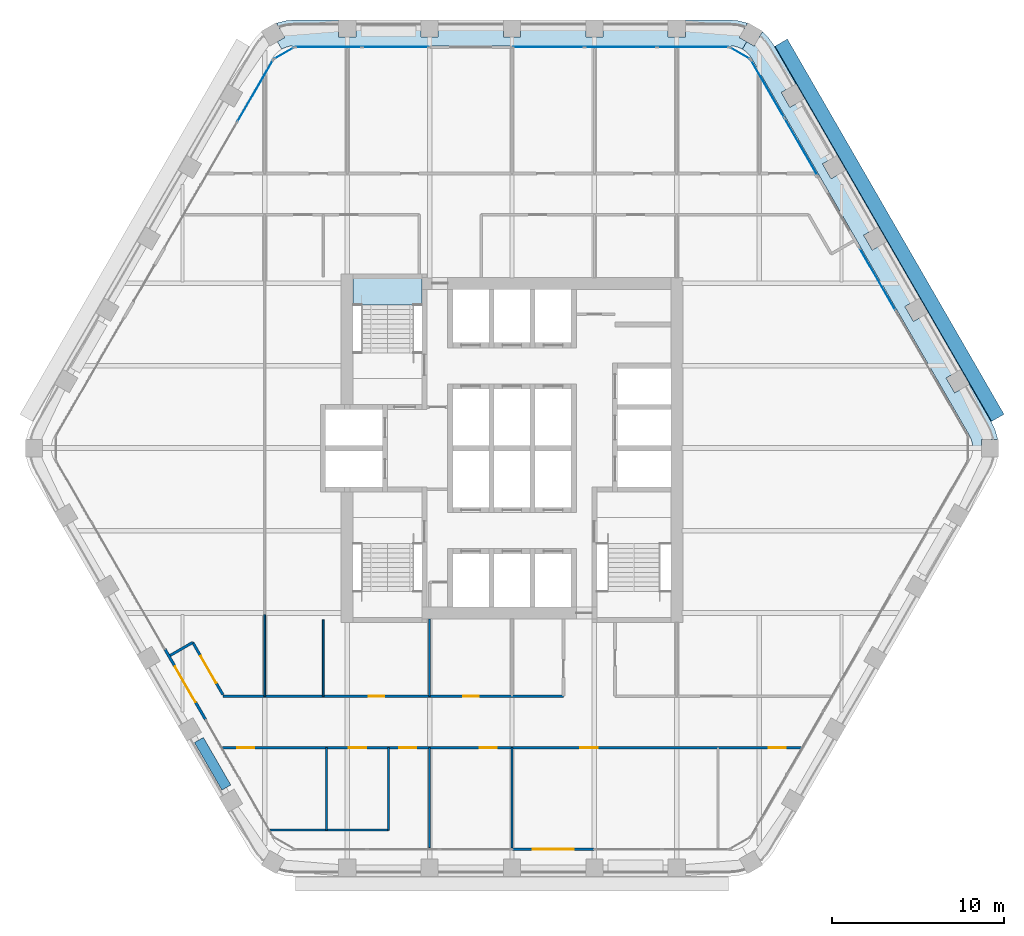
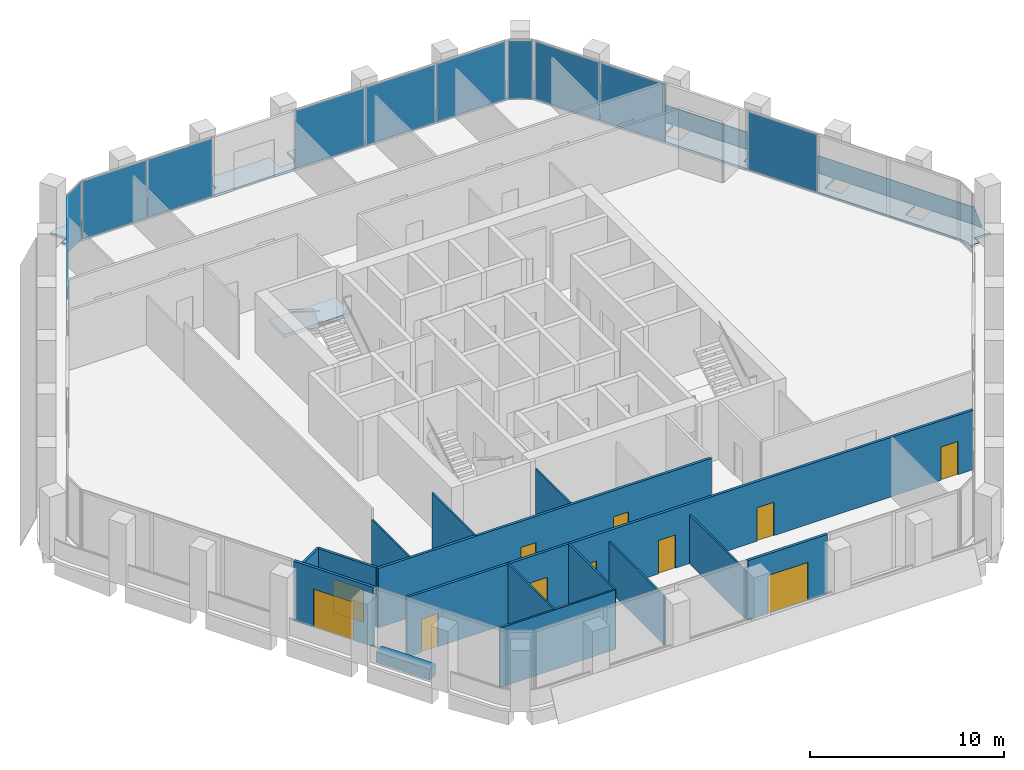
# One storey, part 8 of 15: 15 walls, 12 plates, 11 doors, 3 slabs, 11 openings, 8 elements without a shape of their own.
"""IFC4 building model written with IfcOpenShell, lengths in metres."""

from ifc_helpers import new_model, si_unit, direction, frame, frame_2d, origin, origin_2d, place, context, subcontext, project, spatial, polyline, rectangle, outline, extrude, material, layer, layer_set, type_object, element, fill, aggregate, save


model = new_model("IFC4")

# Units and contexts
model_context = context("Model", 3, precision=1e-05, world=origin(), true_north=direction((0.0, 1.0)))
body_context = subcontext(model_context, "Body", "Model", "MODEL_VIEW")
ifc_project = project(units=[si_unit("LENGTHUNIT", "METRE"), si_unit("AREAUNIT", "SQUARE_METRE"), si_unit("VOLUMEUNIT", "CUBIC_METRE"), si_unit("PLANEANGLEUNIT", "RADIAN"), si_unit("MASSUNIT", "GRAM", prefix="KILO")], contexts=[model_context])

# Site, building, storey
site_placement = place(None, origin())
site = spatial("IfcSite", under=ifc_project, at=site_placement, CompositionType="ELEMENT")
building_placement = place(site_placement, origin())
building = spatial("IfcBuilding", under=site, at=building_placement, Name="Kolab Exchange Tower", CompositionType="ELEMENT")
storey_placement = place(building_placement, frame((0.0, 0.0, 201.199951171875)))
storey = spatial("IfcBuildingStorey", under=building, at=storey_placement, Name="L43", CompositionType="ELEMENT", Elevation=201.199951171875)

# Slabs
ifc_material_1 = material(Name="Concrete C35/45", Category="concrete")
ifc_layer_1 = layer(ifc_material_1, 0.14990234375)
ifc_layer_set_1 = layer_set([ifc_layer_1], Name="Concrete C35/45")
slab_type_1 = type_object("IfcSlabType", Name="LOGGIA SLAB 150", PredefinedType="FLOOR", material=ifc_layer_set_1)
slab_1_placement = place(storey_placement, frame((0.0, 0.0, -0.14990234375)))
element("IfcSlab", 1, at=slab_1_placement, inside=storey, type_object=slab_type_1, Name="slab/L43/loggia/0-0", PredefinedType="FLOOR", context=body_context, shape_type="SweptSolid", body=[
    extrude(outline(polyline([(13.41796875, 23.240478515625), (13.66796875, 23.673583984375), (13.23486328125, 23.923583984375), (13.713134765625, 24.751708984375), (13.694091796875, 24.760498046875), (13.18896484375, 24.89599609375), (12.66796875, 24.941650390625), (10.10009765625, 24.941650390625), (10.10009765625, 23.941650390625), (9.10009765625, 23.941650390625), (9.10009765625, 24.941650390625), (5.300048828125, 24.941650390625), (5.300048828125, 23.941650390625), (4.300048828125, 23.941650390625), (4.300048828125, 24.941650390625), (0.5, 24.941650390625), (0.5, 23.941650390625), (-0.5, 23.941650390625), (-0.5, 24.941650390625), (-4.300048828125, 24.941650390625), (-4.300048828125, 23.941650390625), (-5.300048828125, 23.941650390625), (-5.300048828125, 24.941650390625), (-9.10009765625, 24.941650390625), (-9.10009765625, 23.941650390625), (-10.10009765625, 23.941650390625), (-10.10009765625, 24.941650390625), (-12.66796875, 24.941650390625), (-13.18896484375, 24.89599609375), (-13.694091796875, 24.760498046875), (-13.713134765625, 24.751708984375), (-13.23486328125, 23.923583984375), (-13.66796875, 23.673583984375), (-13.41796875, 23.240478515625), (-13.180908203125, 23.35107421875), (-12.928466796875, 23.418701171875), (-12.66796875, 23.441650390625), (12.66796875, 23.441650390625), (12.928466796875, 23.418701171875), (13.180908203125, 23.35107421875), (13.41796875, 23.240478515625)])), origin(), (0.0, 0.0, 1.0), 0.14990234375),
])
slab_2_placement = place(storey_placement, frame((0.0, 0.0, -0.14990234375)))
element("IfcSlab", 2, at=slab_2_placement, inside=storey, type_object=slab_type_1, Name="slab/L43/loggia/1-0", PredefinedType="FLOOR", context=body_context, shape_type="SweptSolid", body=[
    extrude(outline(polyline([(26.8359375, 0.0), (27.3359375, 0.0), (27.3359375, 0.5), (28.292236328125, 0.5), (28.290283203125, 0.52099609375), (28.155029296875, 1.026123046875), (27.93408203125, 1.5), (26.64990234375, 3.723876953125), (25.783935546875, 3.223876953125), (25.283935546875, 4.08984375), (26.14990234375, 4.58984375), (24.25, 7.880859375), (23.384033203125, 7.380859375), (22.884033203125, 8.246826171875), (23.75, 8.746826171875), (21.85009765625, 12.037841796875), (20.98388671875, 11.537841796875), (20.48388671875, 12.40380859375), (21.35009765625, 12.90380859375), (19.449951171875, 16.194580078125), (18.583984375, 15.694580078125), (18.083984375, 16.560791015625), (18.949951171875, 17.060791015625), (17.050048828125, 20.3515625), (16.18408203125, 19.8515625), (15.68408203125, 20.717529296875), (16.550048828125, 21.217529296875), (15.26611328125, 23.441650390625), (14.966064453125, 23.869873046875), (14.59619140625, 24.23974609375), (14.5791015625, 24.251708984375), (14.10107421875, 23.423583984375), (13.66796875, 23.673583984375), (13.41796875, 23.240478515625), (13.632080078125, 23.090576171875), (13.81689453125, 22.90576171875), (13.967041015625, 22.691650390625), (26.635009765625, 0.75), (26.745361328125, 0.512939453125), (26.81298828125, 0.260498046875), (26.8359375, 0.0)])), origin(), (0.0, 0.0, 1.0), 0.14990234375),
])

# Plate
ifc_material_2 = material(Name="Laminated glass, clear", Category="glass")
ifc_layer_2 = layer(ifc_material_2, 0.0400390625)
ifc_layer_set_2 = layer_set([ifc_layer_2], Name="Laminated glass, clear")
plate_type_1 = type_object("IfcPlateType", Name="OUTER SKIN LAMINATED GLASS SHEET 40", PredefinedType="SHEET", material=ifc_layer_set_2)
plate_1_placement = place(storey_placement, frame((16.040283203125, 23.830810546875, -0.68310546875), z_axis=(0.784898656704, 0.453161865271, 0.422585402693), x_axis=(0.499999968995, -0.866025421685, 9.26315e-07)))
element("IfcPlate", 3, at=plate_1_placement, inside=storey, type_object=plate_type_1, Name="Outer skin", PredefinedType="SHEET", context=body_context, shape_type="SweptSolid", body=[
    extrude(outline(polyline([(0.0, 0.0), (25.23592824607872, 0.0), (25.235843279343595, -1.9612922777250177), (0.00012646525258337368, -1.961343862676479), (0.0, 0.0)])), origin(), (0.0, 0.0, -1.0), 0.0400390625),
])

# Stair, slab
ifc_material_3 = material(Name="Concrete C50/60", Category="concrete")
stair_type = type_object("IfcStairType", Name="STAIR ST1 RISER 177.3", PredefinedType="HALF_TURN_STAIR", material=ifc_material_3)
stair_placement = place(storey_placement, origin())
stair = element("IfcStair", 4, at=stair_placement, inside=storey, type_object=stair_type, Name="Stair 1", PredefinedType="HALF_TURN_STAIR")
ifc_layer_3 = layer(ifc_material_3, 0.199951171875)
ifc_layer_set_3 = layer_set([ifc_layer_3], Name="Concrete C50/60")
slab_type_2 = type_object("IfcSlabType", Name="STAIR LANDING 200", PredefinedType="LANDING", material=ifc_layer_set_3)
slab_3_placement = place(storey_placement, frame((0.0, 0.0, 1.75)))
slab_3 = element("IfcSlab", 5, at=slab_3_placement, type_object=slab_type_2, Name="ST1 landing 2", PredefinedType="LANDING", context=body_context, shape_type="SweptSolid", body=[
    extrude(outline(polyline([(-9.25, 8.35009765625), (-5.25, 8.35009765625), (-5.25, 9.909912109375), (-9.25, 9.909912109375), (-9.25, 8.35009765625)])), origin(), (0.0, 0.0, 1.0), 0.199951171875),
])
aggregate(stair, [slab_3])

# Curtain wall, plates
ifc_material_4 = material(Name="Aluminium EN AW-6063 T6", Category="aluminium")
curtain_wall_type = type_object("IfcCurtainWallType", Name="UNITISED UPPER MID ZONE CURTAIN WALL", PredefinedType="NOTDEFINED", material=ifc_material_4)
curtain_wall_1_placement = place(storey_placement, origin())
curtain_wall_1 = element("IfcCurtainWall", 6, at=curtain_wall_1_placement, inside=storey, type_object=curtain_wall_type, Name="cw/L43/F1-1", PredefinedType="NOTDEFINED")
ifc_material_5 = material(Name="Clear insulated glazing unit", Category="glass")
ifc_layer_4 = layer(ifc_material_5, 0.028076171875)
ifc_layer_set_4 = layer_set([ifc_layer_4], Name="Clear insulated glazing unit")
plate_type_2 = type_object("IfcPlateType", Name="UNITISED UPPER MID ZONE GLASS PANEL 28", PredefinedType="CURTAIN_PANEL", material=ifc_layer_set_4)
plate_2_placement = place(storey_placement, frame((-10.68603515625, 23.361572265625, 0.06005859375), z_axis=(0.0, 0.0, 1.0), x_axis=(1.0, 0.0, 0.0)))
plate_2 = element("IfcPlate", 7, at=plate_2_placement, type_object=plate_type_2, Name="CW3 panel 1.1", PredefinedType="CURTAIN_PANEL", context=body_context, shape_type="SweptSolid", body=[
    extrude(rectangle(XDim=3.843994140625, YDim=0.028076171875, at=origin_2d()), origin(), (0.0, 0.0, 1.0), 3.6298828125),
])
plate_3_placement = place(storey_placement, frame((-6.781982421875, 23.361572265625, 0.06005859375), z_axis=(0.0, 0.0, 1.0), x_axis=(1.0, 0.0, 0.0)))
plate_3 = element("IfcPlate", 8, at=plate_3_placement, type_object=plate_type_2, Name="CW3 panel 2.1", PredefinedType="CURTAIN_PANEL", context=body_context, shape_type="SweptSolid", body=[
    extrude(rectangle(XDim=3.843994140625, YDim=0.028076171875, at=origin_2d()), origin(), (0.0, 0.0, 1.0), 3.6298828125),
])
aggregate(curtain_wall_1, [plate_2, plate_3])

curtain_wall_2_placement = place(storey_placement, origin())
curtain_wall_2 = element("IfcCurtainWall", 9, at=curtain_wall_2_placement, inside=storey, type_object=curtain_wall_type, Name="cw/L43/F1-2", PredefinedType="NOTDEFINED")
plate_4_placement = place(storey_placement, frame((2.126220703125, 23.361572265625, 0.06005859375), z_axis=(0.0, 0.0, 1.0), x_axis=(1.0, 0.0, 0.0)))
plate_4 = element("IfcPlate", 10, at=plate_4_placement, type_object=plate_type_2, Name="CW3 panel 1.1", PredefinedType="CURTAIN_PANEL", context=body_context, shape_type="SweptSolid", body=[
    extrude(rectangle(XDim=4.132568359375, YDim=0.028076171875, at=origin_2d()), origin(), (0.0, 0.0, 1.0), 3.6298828125),
])
plate_5_placement = place(storey_placement, frame((6.333984375, 23.361572265625, 0.06005859375), z_axis=(0.0, 0.0, 1.0), x_axis=(1.0, 0.0, 0.0)))
plate_5 = element("IfcPlate", 11, at=plate_5_placement, type_object=plate_type_2, Name="CW3 panel 2.1", PredefinedType="CURTAIN_PANEL", context=body_context, shape_type="SweptSolid", body=[
    extrude(rectangle(XDim=4.16259765625, YDim=0.028076171875, at=origin_2d()), origin(), (0.0, 0.0, 1.0), 3.6298828125),
])
plate_6_placement = place(storey_placement, frame((10.54150390625, 23.361572265625, 0.06005859375), z_axis=(0.0, 0.0, 1.0), x_axis=(1.0, 0.0, 0.0)))
plate_6 = element("IfcPlate", 12, at=plate_6_placement, type_object=plate_type_2, Name="CW3 panel 3.1", PredefinedType="CURTAIN_PANEL", context=body_context, shape_type="SweptSolid", body=[
    extrude(rectangle(XDim=4.132568359375, YDim=0.028076171875, at=origin_2d()), origin(), (0.0, 0.0, 1.0), 3.6298828125),
])
aggregate(curtain_wall_2, [plate_4, plate_5, plate_6])

curtain_wall_3_placement = place(storey_placement, origin())
curtain_wall_3 = element("IfcCurtainWall", 13, at=curtain_wall_3_placement, inside=storey, type_object=curtain_wall_type, Name="cw/L43/F2-1", PredefinedType="NOTDEFINED")
plate_7_placement = place(storey_placement, frame((14.888671875, 20.93505859375, 0.06005859375), z_axis=(0.0, 0.0, 1.0), x_axis=(0.500000031681, -0.866025385493, 0.0)))
plate_7 = element("IfcPlate", 14, at=plate_7_placement, type_object=plate_type_2, Name="CW3 panel 1.1", PredefinedType="CURTAIN_PANEL", context=body_context, shape_type="SweptSolid", body=[
    extrude(rectangle(XDim=3.843994140625, YDim=0.028076171875, at=origin_2d()), origin(), (0.0, 0.0, 1.0), 3.6298828125),
])
plate_8_placement = place(storey_placement, frame((16.840576171875, 17.55419921875, 0.06005859375), z_axis=(0.0, 0.0, 1.0), x_axis=(0.500000031681, -0.866025385493, 0.0)))
plate_8 = element("IfcPlate", 15, at=plate_8_placement, type_object=plate_type_2, Name="CW3 panel 2.1", PredefinedType="CURTAIN_PANEL", context=body_context, shape_type="SweptSolid", body=[
    extrude(rectangle(XDim=3.843994140625, YDim=0.028076171875, at=origin_2d()), origin(), (0.0, 0.0, 1.0), 3.6298828125),
])
aggregate(curtain_wall_3, [plate_7, plate_8])

# Curtain wall, plate
curtain_wall_4_placement = place(storey_placement, origin())
curtain_wall_4 = element("IfcCurtainWall", 16, at=curtain_wall_4_placement, inside=storey, type_object=curtain_wall_type, Name="cw/L43/F2-2", PredefinedType="NOTDEFINED")
plate_9_placement = place(storey_placement, frame((21.294921875, 9.83935546875, 0.06005859375), z_axis=(0.0, 0.0, 1.0), x_axis=(0.499999958358, -0.866025427826, 0.0)))
plate_9 = element("IfcPlate", 17, at=plate_9_placement, type_object=plate_type_2, Name="CW3 panel 1.1", PredefinedType="CURTAIN_PANEL", context=body_context, shape_type="SweptSolid", body=[
    extrude(rectangle(XDim=4.132568359375, YDim=0.028076171875, at=origin_2d()), origin(), (0.0, 0.0, 1.0), 3.6298828125),
])
aggregate(curtain_wall_4, [plate_9])

curtain_wall_5_placement = place(storey_placement, origin())
curtain_wall_5 = element("IfcCurtainWall", 18, at=curtain_wall_5_placement, inside=storey, type_object=curtain_wall_type, Name="cw/L43/F6-2", PredefinedType="NOTDEFINED")
plate_10_placement = place(storey_placement, frame((-14.9609375, 20.81005859375, 0.06005859375), z_axis=(0.0, 0.0, 1.0), x_axis=(0.500000017564, 0.866025393644, 0.0)))
plate_10 = element("IfcPlate", 19, at=plate_10_placement, type_object=plate_type_2, Name="CW3 panel 3.1", PredefinedType="CURTAIN_PANEL", context=body_context, shape_type="SweptSolid", body=[
    extrude(rectangle(XDim=4.132568359375, YDim=0.028076171875, at=origin_2d()), origin(), (0.0, 0.0, 1.0), 3.6298828125),
])
aggregate(curtain_wall_5, [plate_10])

curtain_wall_6_placement = place(storey_placement, origin())
curtain_wall_6 = element("IfcCurtainWall", 20, at=curtain_wall_6_placement, inside=storey, type_object=curtain_wall_type, Name="cw/L43/F1F2-corner", PredefinedType="NOTDEFINED")
plate_11_placement = place(storey_placement, frame((13.28271484375, 23.006591796875, 0.06005859375), z_axis=(0.0, 0.0, 1.0), x_axis=(0.866025390869, -0.50000002237, 0.0)))
plate_11 = element("IfcPlate", 21, at=plate_11_placement, type_object=plate_type_2, Name="CW3 panel 1.1", PredefinedType="CURTAIN_PANEL", context=body_context, shape_type="SweptSolid", body=[
    extrude(rectangle(XDim=1.300048828125, YDim=0.028076171875, at=origin_2d()), origin(), (0.0, 0.0, 1.0), 3.6298828125),
])
aggregate(curtain_wall_6, [plate_11])

curtain_wall_7_placement = place(storey_placement, origin())
curtain_wall_7 = element("IfcCurtainWall", 22, at=curtain_wall_7_placement, inside=storey, type_object=curtain_wall_type, Name="cw/L43/F6F1-corner", PredefinedType="NOTDEFINED")
plate_12_placement = place(storey_placement, frame((-13.28271484375, 23.006591796875, 0.06005859375), z_axis=(0.0, 0.0, 1.0), x_axis=(0.866025390869, 0.50000002237, 0.0)))
plate_12 = element("IfcPlate", 23, at=plate_12_placement, type_object=plate_type_2, Name="CW3 panel 1.1", PredefinedType="CURTAIN_PANEL", context=body_context, shape_type="SweptSolid", body=[
    extrude(rectangle(XDim=1.300048828125, YDim=0.028076171875, at=origin_2d()), origin(), (0.0, 0.0, 1.0), 3.6298828125),
])
aggregate(curtain_wall_7, [plate_12])

# Wall, opening, door
ifc_layer_5 = layer(ifc_material_4, 0.159912109375)
ifc_layer_set_5 = layer_set([ifc_layer_5], Name="Aluminium EN AW-6063 T6")
wall_type_1 = type_object("IfcWallType", Name="DOOR SURROUND WALL 160 ALUMINIUM FRAMED", PredefinedType="PARTITIONING", material=ifc_layer_set_5)
wall_1_placement = place(storey_placement, frame((4.77001953125, -23.361572265625, 0.0), z_axis=(0.0, 0.0, 1.0), x_axis=(-1.0, 0.0, 0.0)))
wall_1 = element("IfcWall", 24, at=wall_1_placement, inside=storey, type_object=wall_type_1, Name="Door surround wall", PredefinedType="PARTITIONING", context=body_context, shape_type="SweptSolid", body=[
    extrude(rectangle(XDim=4.739990234375, YDim=0.159912109375, at=frame_2d((2.3701171875, 0.0))), origin(), (0.0, 0.0, 1.0), 3.75),
])
opening_1_placement = place(wall_1_placement, frame((1.169921875, 0.0, 0.0)))
opening_1 = element("IfcOpeningElement", 25, at=opening_1_placement, cuts=wall_1, Name="Opening GD1-067", PredefinedType="OPENING", context=body_context, shape_type="SweptSolid", body=[
    extrude(rectangle(XDim=2.39990234375, YDim=2.39990234375, at=frame_2d((1.199951171875, 1.199951171875))), frame((0.0, 0.08984375, 0.0), z_axis=(0.0, -1.0, 0.0), x_axis=(1.0, 0.0, 0.0)), (0.0, 0.0, 1.0), 0.179931640625),
])
door_type_1 = type_object("IfcDoorType", Name="LOGGIA SLIDING GLASS DOOR 2400 X 2400", OperationType="DOUBLE_DOOR_SINGLE_SWING", PredefinedType="DOOR", material=ifc_material_4)
door_1_placement = place(opening_1_placement, origin())
door_1 = element("IfcDoor", 26, at=door_1_placement, inside=storey, type_object=door_type_1, Name="Loggia door", OperationType="DOUBLE_DOOR_SLIDING", OverallHeight=2.39990234375, OverallWidth=2.39990234375, PredefinedType="DOOR", context=body_context, shape_type="SweptSolid", body=[
    extrude(rectangle(XDim=2.39990234375, YDim=2.39990234375, at=frame_2d((1.199951171875, 1.199951171875))), frame((0.0, 0.02490234375, 0.0), z_axis=(0.0, -1.0, 0.0), x_axis=(1.0, 0.0, 0.0)), (0.0, 0.0, 1.0), 0.050048828125),
])
fill(opening_1, door_1)

wall_2_placement = place(storey_placement, frame((-17.8466796875, -15.811767578125, 0.0), z_axis=(0.0, 0.0, 1.0), x_axis=(-0.5000167099, 0.866015756104, 0.0)))
wall_2 = element("IfcWall", 27, at=wall_2_placement, inside=storey, type_object=wall_type_1, Name="Door surround wall", PredefinedType="PARTITIONING", context=body_context, shape_type="SweptSolid", body=[
    extrude(rectangle(XDim=4.739990234375, YDim=0.159912109375, at=frame_2d((2.3701171875, 0.0))), origin(), (0.0, 0.0, 1.0), 3.75),
])
opening_2_placement = place(wall_2_placement, frame((1.169921875, 0.0, 0.0)))
opening_2 = element("IfcOpeningElement", 28, at=opening_2_placement, cuts=wall_2, Name="Opening GD1-068", PredefinedType="OPENING", context=body_context, shape_type="SweptSolid", body=[
    extrude(rectangle(XDim=2.39990234375, YDim=2.39990234375, at=frame_2d((1.199951171875, 1.199951171875))), frame((0.0, 0.08984375, 0.0), z_axis=(0.0, -1.0, 0.0), x_axis=(1.0, 0.0, 0.0)), (0.0, 0.0, 1.0), 0.179931640625),
])
door_2_placement = place(opening_2_placement, origin())
door_2 = element("IfcDoor", 29, at=door_2_placement, inside=storey, type_object=door_type_1, Name="Loggia door", OperationType="DOUBLE_DOOR_SLIDING", OverallHeight=2.39990234375, OverallWidth=2.39990234375, PredefinedType="DOOR", context=body_context, shape_type="SweptSolid", body=[
    extrude(rectangle(XDim=2.39990234375, YDim=2.39990234375, at=frame_2d((1.199951171875, 1.199951171875))), frame((0.0, 0.02490234375, 0.0), z_axis=(0.0, -1.0, 0.0), x_axis=(1.0, 0.0, 0.0)), (0.0, 0.0, 1.0), 0.050048828125),
])
fill(opening_2, door_2)

# Walls
ifc_material_6 = material(Name="Gypsum board", Category="gypsum")
ifc_layer_6 = layer(ifc_material_6, 0.10009765625)
ifc_layer_set_6 = layer_set([ifc_layer_6], Name="Gypsum board")
wall_type_2 = type_object("IfcWallType", Name="PARTITION 100", PredefinedType="PARTITIONING", material=ifc_layer_set_6)
wall_3_placement = place(storey_placement, frame((0.0, -23.281494140625, 0.0), z_axis=(0.0, 0.0, 1.0), x_axis=(0.0, 1.0, 0.0)))
element("IfcWall", 30, at=wall_3_placement, inside=storey, type_object=wall_type_2, Name="Partition 009", PredefinedType="PARTITIONING", context=body_context, shape_type="SweptSolid", body=[
    extrude(rectangle(XDim=5.840087890625, YDim=0.10009765625, at=frame_2d((2.919921875, 0.0))), origin(), (0.0, 0.0, 1.0), 3.066162109375),
])
wall_4_placement = place(storey_placement, frame((-4.800048828125, -23.271484375, 0.0), z_axis=(0.0, 0.0, 1.0), x_axis=(0.0, 1.0, 0.0)))
element("IfcWall", 31, at=wall_4_placement, inside=storey, type_object=wall_type_2, Name="Partition 013", PredefinedType="PARTITIONING", context=body_context, shape_type="SweptSolid", body=[
    extrude(rectangle(XDim=5.830078125, YDim=0.10009765625, at=frame_2d((2.9150390625, 0.0))), origin(), (0.0, 0.0, 1.0), 3.066162109375),
])
wall_5_placement = place(storey_placement, frame((-4.800048828125, -14.44140625, 0.0), z_axis=(0.0, 0.0, 1.0), x_axis=(0.0, 1.0, 0.0)))
element("IfcWall", 32, at=wall_5_placement, inside=storey, type_object=wall_type_2, Name="Partition 014", PredefinedType="PARTITIONING", context=body_context, shape_type="SweptSolid", body=[
    extrude(rectangle(XDim=4.491455078125, YDim=0.10009765625, at=frame_2d((2.24560546875, 0.0))), origin(), (0.0, 0.0, 1.0), 3.066162109375),
])
for number, where, z_axis, x_axis, name in (
    (33, (-7.199951171875, -22.241455078125, 0.0), (0.0, 0.0, 1.0), (0.0, 1.0, 0.0), "Partition 017"),
    (34, (-10.800048828125, -22.241455078125, 0.0), (0.0, 0.0, 1.0), (0.0, 1.0, 0.0), "Partition 019"),
):
    element("IfcWall", number, at=place(storey_placement, frame(where, z_axis=z_axis, x_axis=x_axis)), inside=storey, type_object=wall_type_2, Name=name, PredefinedType="PARTITIONING", context=body_context, shape_type="SweptSolid", body=[
        extrude(rectangle(XDim=4.800048828125, YDim=0.10009765625, at=frame_2d((2.39990234375, 0.0))), origin(), (0.0, 0.0, 1.0), 3.75),
    ])
wall_6_placement = place(storey_placement, frame((-11.0, -14.44140625, 0.0), z_axis=(0.0, 0.0, 1.0), x_axis=(0.0, 1.0, 0.0)))
element("IfcWall", 35, at=wall_6_placement, inside=storey, type_object=wall_type_2, Name="Partition 020", PredefinedType="PARTITIONING", context=body_context, shape_type="SweptSolid", body=[
    extrude(rectangle(XDim=4.44140625, YDim=0.10009765625, at=frame_2d((2.220703125, 0.0))), origin(), (0.0, 0.0, 1.0), 3.75),
])
wall_7_placement = place(storey_placement, frame((-14.39990234375, -14.44140625, 0.0), z_axis=(0.0, 0.0, 1.0), x_axis=(0.0, 1.0, 0.0)))
element("IfcWall", 36, at=wall_7_placement, inside=storey, type_object=wall_type_2, Name="Partition 022", PredefinedType="PARTITIONING", context=body_context, shape_type="SweptSolid", body=[
    extrude(rectangle(XDim=4.747802734375, YDim=0.10009765625, at=frame_2d((2.3740234375, 0.0))), origin(), (0.0, 0.0, 1.0), 3.066162109375),
])
wall_8_placement = place(storey_placement, frame((-14.088134765625, -22.241455078125, 0.0), z_axis=(0.0, 0.0, 1.0), x_axis=(1.0, 0.0, 0.0)))
element("IfcWall", 37, at=wall_8_placement, inside=storey, type_object=wall_type_2, Name="Partition 028", PredefinedType="PARTITIONING", context=body_context, shape_type="SweptSolid", body=[
    extrude(rectangle(XDim=6.88818359375, YDim=0.10009765625, at=frame_2d((3.444091796875, 0.0))), origin(), (0.0, 0.0, 1.0), 3.75),
])

# Wall, opening, door
ifc_layer_7 = layer(ifc_material_6, 0.14990234375)
ifc_layer_set_7 = layer_set([ifc_layer_7], Name="Gypsum board")
wall_type_3 = type_object("IfcWallType", Name="PARTITION 150 FIRE-RATED", PredefinedType="PARTITIONING", material=ifc_layer_set_7)
wall_9_placement = place(storey_placement, frame((-18.595947265625, -11.313720703125, 0.0), z_axis=(0.0, 0.0, 1.0), x_axis=(0.499980607609, -0.866036599697, 0.0)))
wall_9 = element("IfcWall", 38, at=wall_9_placement, inside=storey, type_object=wall_type_3, Name="Partition 024", PredefinedType="PARTITIONING", context=body_context, shape_type="SweptSolid", body=[
    extrude(rectangle(XDim=3.520263671875, YDim=0.14990234375, at=frame_2d((1.76025390625, 0.0))), origin(), (0.0, 0.0, 1.0), 3.75),
])
opening_3_placement = place(wall_9_placement, frame((0.925048828125, 0.0, 0.0)))
opening_3 = element("IfcOpeningElement", 39, at=opening_3_placement, cuts=wall_9, Name="Opening D2-060", PredefinedType="OPENING", context=body_context, shape_type="SweptSolid", body=[
    extrude(rectangle(XDim=1.800048828125, YDim=2.10009765625, at=frame_2d((0.89990234375, 1.050048828125))), frame((0.0, 0.0849609375, 0.0), z_axis=(0.0, -1.0, 0.0), x_axis=(1.0, 0.0, 0.0)), (0.0, 0.0, 1.0), 0.169921875),
])
ifc_material_7 = material(Name="Steel S235", Category="steel")
door_type_2 = type_object("IfcDoorType", Name="DOUBLE DOOR 1800 FD60", OperationType="DOUBLE_DOOR_SINGLE_SWING", PredefinedType="DOOR", material=ifc_material_7)
door_3_placement = place(opening_3_placement, origin())
door_3 = element("IfcDoor", 40, at=door_3_placement, inside=storey, type_object=door_type_2, Name="Door L43-052", OperationType="SINGLE_SWING_RIGHT", OverallHeight=2.10009765625, OverallWidth=1.800048828125, PredefinedType="DOOR", context=body_context, shape_type="SweptSolid", body=[
    extrude(rectangle(XDim=1.800048828125, YDim=2.10009765625, at=frame_2d((0.89990234375, 1.050048828125))), frame((0.0, 0.02490234375, 0.0), z_axis=(0.0, -1.0, 0.0), x_axis=(1.0, 0.0, 0.0)), (0.0, 0.0, 1.0), 0.050048828125),
])
fill(opening_3, door_3)

# Wall
wall_10_placement = place(storey_placement, frame((-19.912353515625, -12.07373046875, 0.0), z_axis=(0.0, 0.0, 1.0), x_axis=(0.866030456496, 0.499991248344, 0.0)))
element("IfcWall", 41, at=wall_10_placement, inside=storey, type_object=wall_type_3, Name="Partition 026", PredefinedType="PARTITIONING", context=body_context, shape_type="SweptSolid", body=[
    extrude(rectangle(XDim=1.52001953125, YDim=0.14990234375, at=frame_2d((0.760009765625, 0.0))), origin(), (0.0, 0.0, 1.0), 3.75),
])

# Wall, openings, doors
wall_11_placement = place(storey_placement, frame((-16.859619140625, -17.44140625, 0.0), z_axis=(0.0, 0.0, 1.0), x_axis=(1.0, 0.0, 0.0)))
wall_11 = element("IfcWall", 42, at=wall_11_placement, inside=storey, type_object=wall_type_3, Name="Partition 029", PredefinedType="PARTITIONING", context=body_context, shape_type="SweptSolid", body=[
    extrude(rectangle(XDim=33.71923828125, YDim=0.14990234375, at=frame_2d((16.859619140625, 0.0))), origin(), (0.0, 0.0, 1.0), 3.75),
])
opening_4_placement = place(wall_11_placement, frame((0.85107421875, 0.0, 0.0)))
opening_4 = element("IfcOpeningElement", 43, at=opening_4_placement, cuts=wall_11, Name="Opening D1-579", PredefinedType="OPENING", context=body_context, shape_type="SweptSolid", body=[
    extrude(rectangle(XDim=1.0, YDim=2.10009765625, at=frame_2d((0.5, 1.050048828125))), frame((0.0, 0.0849609375, 0.0), z_axis=(0.0, -1.0, 0.0), x_axis=(1.0, 0.0, 0.0)), (0.0, 0.0, 1.0), 0.169921875),
])
opening_5_placement = place(wall_11_placement, frame((7.359619140625, 0.0, 0.0)))
opening_5 = element("IfcOpeningElement", 44, at=opening_5_placement, cuts=wall_11, Name="Opening D1-580", PredefinedType="OPENING", context=body_context, shape_type="SweptSolid", body=[
    extrude(rectangle(XDim=1.0, YDim=2.10009765625, at=frame_2d((0.5, 1.050048828125))), frame((0.0, 0.0849609375, 0.0), z_axis=(0.0, -1.0, 0.0), x_axis=(1.0, 0.0, 0.0)), (0.0, 0.0, 1.0), 0.169921875),
])
opening_6_placement = place(wall_11_placement, frame((10.284423828125, 0.0, 0.0)))
opening_6 = element("IfcOpeningElement", 45, at=opening_6_placement, cuts=wall_11, Name="Opening D1-581", PredefinedType="OPENING", context=body_context, shape_type="SweptSolid", body=[
    extrude(rectangle(XDim=1.0, YDim=2.10009765625, at=frame_2d((0.5, 1.050048828125))), frame((0.0, 0.0849609375, 0.0), z_axis=(0.0, -1.0, 0.0), x_axis=(1.0, 0.0, 0.0)), (0.0, 0.0, 1.0), 0.169921875),
])
opening_7_placement = place(wall_11_placement, frame((14.974609375, 0.0, 0.0)))
opening_7 = element("IfcOpeningElement", 46, at=opening_7_placement, cuts=wall_11, Name="Opening D1-582", PredefinedType="OPENING", context=body_context, shape_type="SweptSolid", body=[
    extrude(rectangle(XDim=1.0, YDim=2.10009765625, at=frame_2d((0.5, 1.050048828125))), frame((0.0, 0.0849609375, 0.0), z_axis=(0.0, -1.0, 0.0), x_axis=(1.0, 0.0, 0.0)), (0.0, 0.0, 1.0), 0.169921875),
])
opening_8_placement = place(wall_11_placement, frame((20.844482421875, 0.0, 0.0)))
opening_8 = element("IfcOpeningElement", 47, at=opening_8_placement, cuts=wall_11, Name="Opening D1-583", PredefinedType="OPENING", context=body_context, shape_type="SweptSolid", body=[
    extrude(rectangle(XDim=1.0, YDim=2.10009765625, at=frame_2d((0.5, 1.050048828125))), frame((0.0, 0.0849609375, 0.0), z_axis=(0.0, -1.0, 0.0), x_axis=(1.0, 0.0, 0.0)), (0.0, 0.0, 1.0), 0.169921875),
])
opening_9_placement = place(wall_11_placement, frame((31.80908203125, 0.0, 0.0)))
opening_9 = element("IfcOpeningElement", 48, at=opening_9_placement, cuts=wall_11, Name="Opening D1-584", PredefinedType="OPENING", context=body_context, shape_type="SweptSolid", body=[
    extrude(rectangle(XDim=1.0, YDim=2.10009765625, at=frame_2d((0.5, 1.050048828125))), frame((0.0, 0.0849609375, 0.0), z_axis=(0.0, -1.0, 0.0), x_axis=(1.0, 0.0, 0.0)), (0.0, 0.0, 1.0), 0.169921875),
])
door_type_3 = type_object("IfcDoorType", Name="FLUSH DOOR 1000 FD60", OperationType="SINGLE_SWING_LEFT", PredefinedType="DOOR", material=ifc_material_7)
door_4_placement = place(opening_4_placement, frame((1.0, 0.0, 0.0), z_axis=(0.0, 0.0, 1.0), x_axis=(-1.0, 0.0, 0.0)))
door_4 = element("IfcDoor", 49, at=door_4_placement, inside=storey, type_object=door_type_3, Name="Door L43-045", OperationType="SINGLE_SWING_LEFT", OverallHeight=2.10009765625, OverallWidth=1.0, PredefinedType="DOOR", context=body_context, shape_type="SweptSolid", body=[
    extrude(rectangle(XDim=1.0, YDim=2.10009765625, at=frame_2d((0.5, 1.050048828125))), frame((0.0, 0.02490234375, 0.0), z_axis=(0.0, -1.0, 0.0), x_axis=(1.0, 0.0, 0.0)), (0.0, 0.0, 1.0), 0.050048828125),
])
fill(opening_4, door_4)
door_5_placement = place(opening_5_placement, frame((1.0, 0.0, 0.0), z_axis=(0.0, 0.0, 1.0), x_axis=(-1.0, 0.0, 0.0)))
door_5 = element("IfcDoor", 50, at=door_5_placement, inside=storey, type_object=door_type_3, Name="Door L43-046", OperationType="SINGLE_SWING_RIGHT", OverallHeight=2.10009765625, OverallWidth=1.0, PredefinedType="DOOR", context=body_context, shape_type="SweptSolid", body=[
    extrude(rectangle(XDim=1.0, YDim=2.10009765625, at=frame_2d((0.5, 1.050048828125))), frame((0.0, 0.02490234375, 0.0), z_axis=(0.0, -1.0, 0.0), x_axis=(1.0, 0.0, 0.0)), (0.0, 0.0, 1.0), 0.050048828125),
])
fill(opening_5, door_5)
door_6_placement = place(opening_6_placement, frame((1.0, 0.0, 0.0), z_axis=(0.0, 0.0, 1.0), x_axis=(-1.0, 0.0, 0.0)))
door_6 = element("IfcDoor", 51, at=door_6_placement, inside=storey, type_object=door_type_3, Name="Door L43-047", OperationType="SINGLE_SWING_LEFT", OverallHeight=2.10009765625, OverallWidth=1.0, PredefinedType="DOOR", context=body_context, shape_type="SweptSolid", body=[
    extrude(rectangle(XDim=1.0, YDim=2.10009765625, at=frame_2d((0.5, 1.050048828125))), frame((0.0, 0.02490234375, 0.0), z_axis=(0.0, -1.0, 0.0), x_axis=(1.0, 0.0, 0.0)), (0.0, 0.0, 1.0), 0.050048828125),
])
fill(opening_6, door_6)
door_7_placement = place(opening_7_placement, frame((1.0, 0.0, 0.0), z_axis=(0.0, 0.0, 1.0), x_axis=(-1.0, 0.0, 0.0)))
door_7 = element("IfcDoor", 52, at=door_7_placement, inside=storey, type_object=door_type_3, Name="Door L43-048", OperationType="SINGLE_SWING_RIGHT", OverallHeight=2.10009765625, OverallWidth=1.0, PredefinedType="DOOR", context=body_context, shape_type="SweptSolid", body=[
    extrude(rectangle(XDim=1.0, YDim=2.10009765625, at=frame_2d((0.5, 1.050048828125))), frame((0.0, 0.02490234375, 0.0), z_axis=(0.0, -1.0, 0.0), x_axis=(1.0, 0.0, 0.0)), (0.0, 0.0, 1.0), 0.050048828125),
])
fill(opening_7, door_7)
door_8_placement = place(opening_8_placement, frame((1.0, 0.0, 0.0), z_axis=(0.0, 0.0, 1.0), x_axis=(-1.0, 0.0, 0.0)))
door_8 = element("IfcDoor", 53, at=door_8_placement, inside=storey, type_object=door_type_3, Name="Door L43-049", OperationType="SINGLE_SWING_LEFT", OverallHeight=2.10009765625, OverallWidth=1.0, PredefinedType="DOOR", context=body_context, shape_type="SweptSolid", body=[
    extrude(rectangle(XDim=1.0, YDim=2.10009765625, at=frame_2d((0.5, 1.050048828125))), frame((0.0, 0.02490234375, 0.0), z_axis=(0.0, -1.0, 0.0), x_axis=(1.0, 0.0, 0.0)), (0.0, 0.0, 1.0), 0.050048828125),
])
fill(opening_8, door_8)
door_9_placement = place(opening_9_placement, frame((1.0, 0.0, 0.0), z_axis=(0.0, 0.0, 1.0), x_axis=(-1.0, 0.0, 0.0)))
door_9 = element("IfcDoor", 54, at=door_9_placement, inside=storey, type_object=door_type_3, Name="Door L43-050", OperationType="SINGLE_SWING_RIGHT", OverallHeight=2.10009765625, OverallWidth=1.0, PredefinedType="DOOR", context=body_context, shape_type="SweptSolid", body=[
    extrude(rectangle(XDim=1.0, YDim=2.10009765625, at=frame_2d((0.5, 1.050048828125))), frame((0.0, 0.02490234375, 0.0), z_axis=(0.0, -1.0, 0.0), x_axis=(1.0, 0.0, 0.0)), (0.0, 0.0, 1.0), 0.050048828125),
])
fill(opening_9, door_9)

wall_12_placement = place(storey_placement, frame((-16.843017578125, -14.44140625, 0.0), z_axis=(0.0, 0.0, 1.0), x_axis=(1.0, 0.0, 0.0)))
wall_12 = element("IfcWall", 55, at=wall_12_placement, inside=storey, type_object=wall_type_3, Name="Partition 030", PredefinedType="PARTITIONING", context=body_context, shape_type="SweptSolid", body=[
    extrude(rectangle(XDim=19.843017578125, YDim=0.14990234375, at=frame_2d((9.92138671875, 0.0))), origin(), (0.0, 0.0, 1.0), 3.75),
])
opening_10_placement = place(wall_12_placement, frame((8.492919921875, 0.0, 0.0)))
opening_10 = element("IfcOpeningElement", 56, at=opening_10_placement, cuts=wall_12, Name="Opening D3-064", PredefinedType="OPENING", context=body_context, shape_type="SweptSolid", body=[
    extrude(rectangle(XDim=0.89990234375, YDim=2.10009765625, at=frame_2d((0.449951171875, 1.050048828125))), frame((0.0, 0.0849609375, 0.0), z_axis=(0.0, -1.0, 0.0), x_axis=(1.0, 0.0, 0.0)), (0.0, 0.0, 1.0), 0.169921875),
])
opening_11_placement = place(wall_12_placement, frame((13.992919921875, 0.0, 0.0)))
opening_11 = element("IfcOpeningElement", 57, at=opening_11_placement, cuts=wall_12, Name="Opening D3-065", PredefinedType="OPENING", context=body_context, shape_type="SweptSolid", body=[
    extrude(rectangle(XDim=0.89990234375, YDim=2.10009765625, at=frame_2d((0.449951171875, 1.050048828125))), frame((0.0, 0.0849609375, 0.0), z_axis=(0.0, -1.0, 0.0), x_axis=(1.0, 0.0, 0.0)), (0.0, 0.0, 1.0), 0.169921875),
])
door_type_4 = type_object("IfcDoorType", Name="FLUSH DOOR 900 FD60", OperationType="SINGLE_SWING_LEFT", PredefinedType="DOOR", material=ifc_material_7)
door_10_placement = place(opening_10_placement, origin())
door_10 = element("IfcDoor", 58, at=door_10_placement, inside=storey, type_object=door_type_4, Name="Door L43-035", OperationType="SINGLE_SWING_LEFT", OverallHeight=2.10009765625, OverallWidth=0.89990234375, PredefinedType="DOOR", context=body_context, shape_type="SweptSolid", body=[
    extrude(rectangle(XDim=0.89990234375, YDim=2.10009765625, at=frame_2d((0.449951171875, 1.050048828125))), frame((0.0, 0.02490234375, 0.0), z_axis=(0.0, -1.0, 0.0), x_axis=(1.0, 0.0, 0.0)), (0.0, 0.0, 1.0), 0.050048828125),
])
fill(opening_10, door_10)
door_11_placement = place(opening_11_placement, origin())
door_11 = element("IfcDoor", 59, at=door_11_placement, inside=storey, type_object=door_type_4, Name="Door L43-036", OperationType="SINGLE_SWING_LEFT", OverallHeight=2.10009765625, OverallWidth=0.89990234375, PredefinedType="DOOR", context=body_context, shape_type="SweptSolid", body=[
    extrude(rectangle(XDim=0.89990234375, YDim=2.10009765625, at=frame_2d((0.449951171875, 1.050048828125))), frame((0.0, 0.02490234375, 0.0), z_axis=(0.0, -1.0, 0.0), x_axis=(1.0, 0.0, 0.0)), (0.0, 0.0, 1.0), 0.050048828125),
])
fill(opening_11, door_11)

# Wall
ifc_material_8 = material(Name="Granite facing", Category="masonry")
ifc_layer_8 = layer(ifc_material_8, 0.0400390625)
ifc_material_9 = material(Name="Concrete C40/50 precast", Category="concrete")
ifc_layer_9 = layer(ifc_material_9, 0.56005859375)
ifc_layer_set_8 = layer_set([ifc_layer_8, ifc_layer_9], Name="Concrete C40/50 precast")
wall_type_4 = type_object("IfcWallType", Name="PLANTER BOX 600 X 700 SOIL DEPTH 550", PredefinedType="USERDEFINED", material=ifc_layer_set_8)
wall_13_placement = place(storey_placement, frame((-16.636962890625, -19.766845703125, 0.0), z_axis=(0.0, 0.0, 1.0), x_axis=(-0.500028443584, 0.866008981251, 0.0)))
element("IfcWall", 60, at=wall_13_placement, inside=storey, type_object=wall_type_4, Name="Planter", ObjectType="PLANTER", PredefinedType="USERDEFINED", context=body_context, shape_type="SweptSolid", body=[
    extrude(rectangle(XDim=3.199951171875, YDim=0.60009765625, at=frame_2d((1.60009765625, 0.0))), origin(), (0.0, 0.0, 1.0), 0.699951171875),
])

save(model, "model.ifc")
